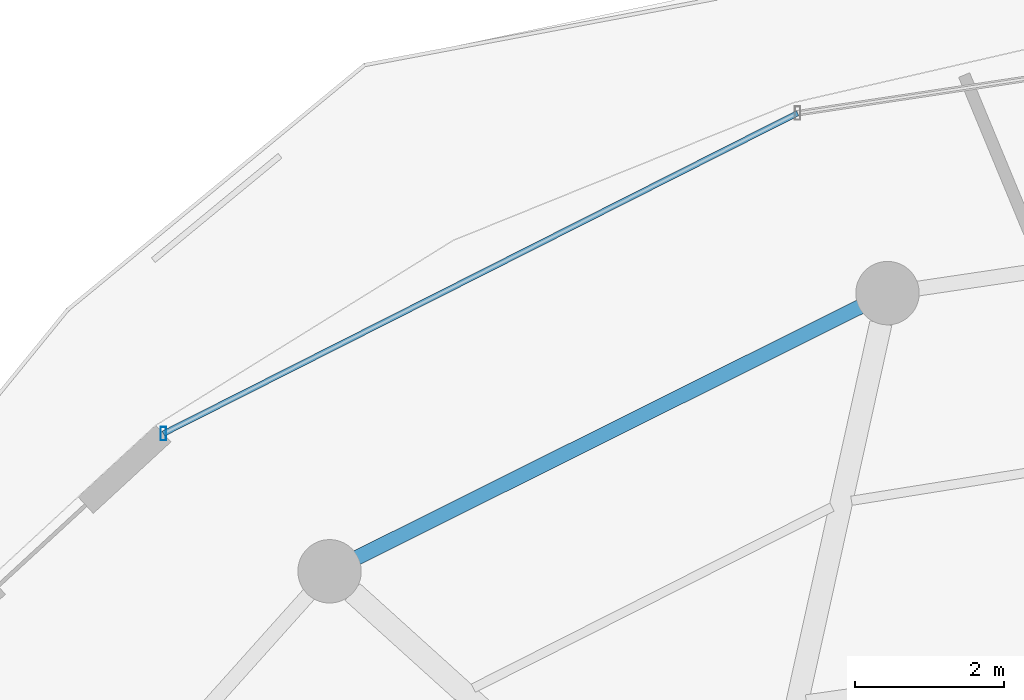
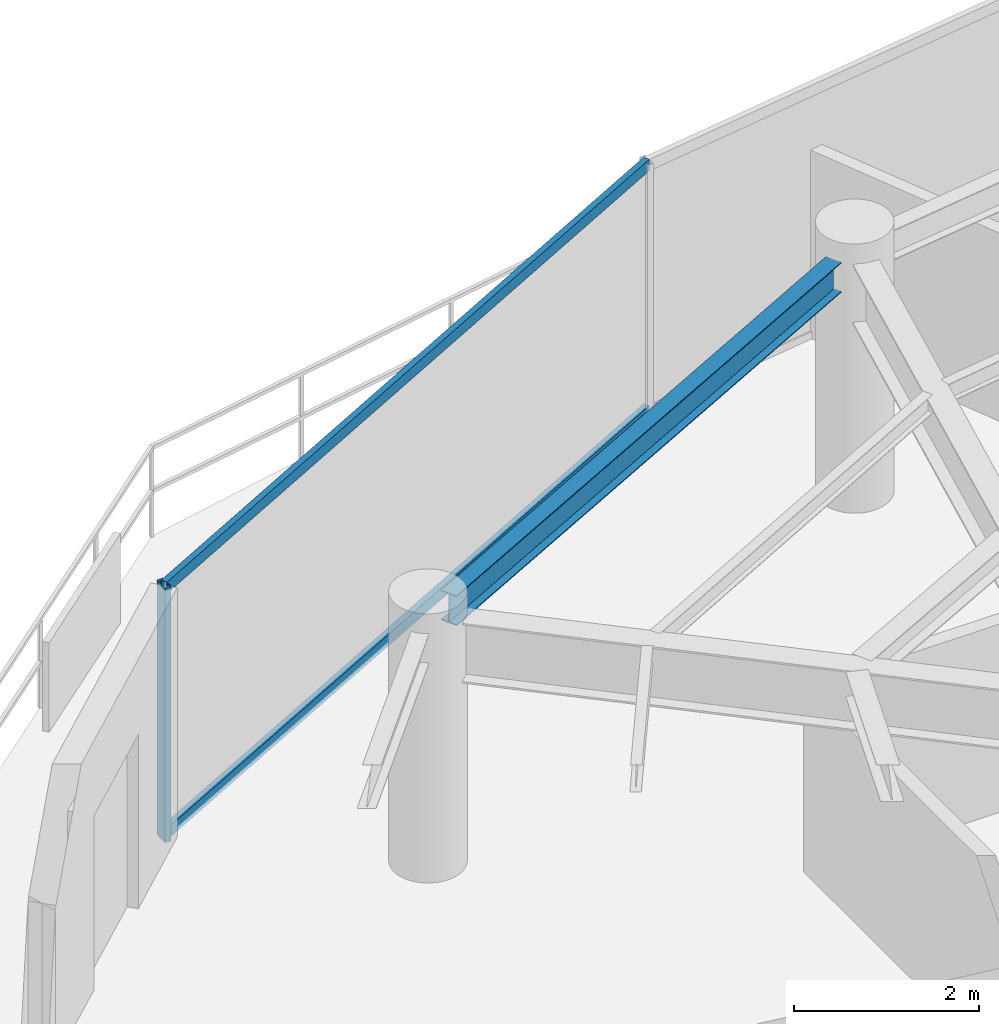
# One storey, part 15 of 30: 3 members, 1 beam, 1 element without a shape of its own.
"""IFC4 building model written with IfcOpenShell, lengths in metres."""

import ifcopenshell
import ifcopenshell.guid

model = None  # the IFC model being written
_history = None  # IfcOwnerHistory: only IFC2X3 demands one
_inside = {}  # id of a spatial element -> (the spatial element, [elements in it])
_under = {}  # id of a project, library or spatial element -> (it, [spatial elements below it])
_declared = {}  # id of a project -> (the project, [libraries it declares])
_typed = {}  # id of a type object -> (the type object, [elements of that type])
_made_of = {}  # id of a material, layer set ... -> (it, [elements and type objects made of it])


def new_model(schema):
    """Start an empty IFC model of exactly this schema.

    Asked for "IFC4X3", IfcOpenShell would pick the latest addendum, in which some entities
    have other attributes; the version numbers below select the first issue.
    IFC2X3 requires an IfcOwnerHistory on every rooted entity: one is made here for all.
    """
    global model, _history
    if schema == "IFC4X3":
        model = ifcopenshell.file(schema_version=(4, 3, 0, 0))
    else:
        model = ifcopenshell.file(schema=schema)
    _inside.clear()
    _under.clear()
    _declared.clear()
    _typed.clear()
    _made_of.clear()
    _history = None
    if model.schema == "IFC2X3":
        org = make("IfcOrganization", Name="unknown")
        user = make(
            "IfcPersonAndOrganization",
            ThePerson=make("IfcPerson", FamilyName="unknown"),
            TheOrganization=org,
        )
        app = make(
            "IfcApplication",
            ApplicationDeveloper=org,
            Version="unknown",
            ApplicationFullName="unknown",
            ApplicationIdentifier="unknown",
        )
        _history = make(
            "IfcOwnerHistory",
            OwningUser=user,
            OwningApplication=app,
            ChangeAction="ADDED",
            CreationDate=0,
        )
    return model


def make(cls, **values):
    """One entity of the class cls with the attributes given. An attribute that is None is left unset."""
    return model.create_entity(
        cls, **{name: value for name, value in values.items() if value is not None}
    )


def rooted(cls, **values):
    """An entity with a GlobalId (a new one), such as an element, a storey or a relation."""
    return make(cls, GlobalId=ifcopenshell.guid.new(), OwnerHistory=_history, **values)


def si_unit(unit_type, name, prefix=None):
    """IfcSIUnit, for example si_unit("LENGTHUNIT", "METRE", prefix="MILLI")."""
    return make("IfcSIUnit", UnitType=unit_type, Prefix=prefix, Name=name)


def assignment(units):
    """IfcUnitAssignment: the units of a project."""
    return None if units is None else make("IfcUnitAssignment", Units=units)


def point(xyz):
    """IfcCartesianPoint."""
    return None if xyz is None else make("IfcCartesianPoint", Coordinates=xyz)


def direction(xyz):
    """IfcDirection."""
    return None if xyz is None else make("IfcDirection", DirectionRatios=xyz)


def frame(location, z_axis=None, x_axis=None):
    """IfcAxis2Placement3D, a coordinate frame: its origin and axes. An axis left out is left unset."""
    return make(
        "IfcAxis2Placement3D",
        Location=point(location),
        Axis=direction(z_axis),
        RefDirection=direction(x_axis),
    )


def frame_2d(location, x_axis=None):
    """IfcAxis2Placement2D, a coordinate frame in the plane: its origin and x axis."""
    return make(
        "IfcAxis2Placement2D", Location=point(location), RefDirection=direction(x_axis)
    )


def origin():
    """The frame at (0, 0, 0) with its axes left unset."""
    return frame((0.0, 0.0, 0.0))


def origin_2d():
    """The frame at (0, 0) in the plane with its x axis left unset."""
    return frame_2d((0.0, 0.0))


def place(relative_to, where):
    """IfcLocalPlacement: puts the frame where relative to a parent placement (None: the world)."""
    return make(
        "IfcLocalPlacement", PlacementRelTo=relative_to, RelativePlacement=where
    )


def context(
    kind, dimensions, precision=None, world=None, true_north=None, identifier=None
):
    """IfcGeometricRepresentationContext, for example the 3D "Model" context."""
    return make(
        "IfcGeometricRepresentationContext",
        ContextIdentifier=identifier,
        ContextType=kind,
        CoordinateSpaceDimension=dimensions,
        Precision=precision,
        WorldCoordinateSystem=world,
        TrueNorth=true_north,
    )


def subcontext(parent, identifier, kind, view, scale=None):
    """IfcGeometricRepresentationSubContext, for example "Body" below "Model"."""
    return make(
        "IfcGeometricRepresentationSubContext",
        ContextIdentifier=identifier,
        ContextType=kind,
        ParentContext=parent,
        TargetScale=scale,
        TargetView=view,
    )


def project(units=None, contexts=None):
    """IfcProject with its units and contexts."""
    return rooted(
        "IfcProject",
        Name="project",
        RepresentationContexts=contexts,
        UnitsInContext=assignment(units),
    )


def spatial(cls, under=None, at=None, **own):
    """A site, building, storey or space (cls), placed at a placement, below another one or the project."""
    s = rooted(cls, ObjectPlacement=at, **own)
    if under is not None:
        _under.setdefault(under.id(), (under, []))[1].append(s)
    return s


def profile(cls, at=None, kind="AREA", **sizes):
    """A parametric profile (cls). Its sizes go by their IFC names, for example OverallWidth=200.0."""
    return make(cls, ProfileType=kind, Position=at, **sizes)


def hollow_rectangle(**sizes):
    """IfcRectangleHollowProfileDef."""
    return profile("IfcRectangleHollowProfileDef", **sizes)


def i_section(**sizes):
    """IfcIShapeProfileDef."""
    return profile("IfcIShapeProfileDef", **sizes)


def extrude(swept, where, along, depth):
    """IfcExtrudedAreaSolid: the profile swept, set in the frame where, extruded along a direction by depth."""
    return make(
        "IfcExtrudedAreaSolid",
        SweptArea=swept,
        Position=where,
        ExtrudedDirection=direction(along),
        Depth=depth,
    )


def shape(context_of_items, identifier, shape_type, items):
    """IfcShapeRepresentation: the items that make up one representation, for example the "Body"."""
    return make(
        "IfcShapeRepresentation",
        ContextOfItems=context_of_items,
        RepresentationIdentifier=identifier,
        RepresentationType=shape_type,
        Items=items,
    )


def material(Name=None, Category=None):
    """IfcMaterial."""
    return make("IfcMaterial", Name=Name, Category=Category)


def material_profile(
    of_material, cross_section, Name=None, Category=None, Priority=None
):
    """IfcMaterialProfile: a cross section and its material."""
    return make(
        "IfcMaterialProfile",
        Name=Name,
        Material=of_material,
        Profile=cross_section,
        Priority=Priority,
        Category=Category,
    )


def profile_set(profiles, Name=None, composite=None):
    """IfcMaterialProfileSet."""
    return make(
        "IfcMaterialProfileSet",
        Name=Name,
        MaterialProfiles=profiles,
        CompositeProfile=composite,
    )


def made_of(thing, what):
    """Note that an element or type object is made of a material, layer set ...; save() writes the relation."""
    if what is not None:
        _made_of.setdefault(what.id(), (what, []))[1].append(thing)
    return thing


def type_object(cls, material=None, **own):
    """A type object (cls), such as IfcWallType, which elements share."""
    return made_of(rooted(cls, **own), material)


def element(
    cls,
    number,
    at=None,
    inside=None,
    cuts=None,
    type_object=None,
    material=None,
    context=None,
    identifier="Body",
    shape_type=None,
    held_by="IfcProductDefinitionShape",
    body=None,
    shapes=None,
    **own,
):
    """One element of the class cls, such as IfcWall. Its Tag is "e" and its number.

    at: its placement. inside: the storey or other place that contains it. cuts: it is an
    opening in that element (IfcRelVoidsElement). A single representation is given by context,
    identifier, shape_type and body (its items); several are given by shapes. held_by: the class
    of the entity that holds the representations. save() writes the other relations.
    """
    e = rooted(cls, Tag="e%d" % number, ObjectPlacement=at, **own)
    if body is not None:
        shapes = [shape(context, identifier, shape_type, body)]
    if shapes is not None:
        e.Representation = make(held_by, Representations=shapes)
    if inside is not None:
        _inside.setdefault(inside.id(), (inside, []))[1].append(e)
    if cuts is not None:
        rooted(
            "IfcRelVoidsElement", RelatingBuildingElement=cuts, RelatedOpeningElement=e
        )
    if type_object is not None:
        _typed.setdefault(type_object.id(), (type_object, []))[1].append(e)
    return made_of(e, material)


def aggregate(whole, parts):
    """IfcRelAggregates: a whole, such as a stair, and the parts it consists of."""
    return rooted("IfcRelAggregates", RelatingObject=whole, RelatedObjects=parts)


def save(model, path):
    """Write the relations noted so far, then the file.

    IfcRelAggregates (storeys below a building ...), IfcRelContainedInSpatialStructure (elements
    in a storey), IfcRelDefinesByType, IfcRelAssociatesMaterial and IfcRelDeclares: one each for
    every whole, place, type object, material and project.
    """
    for whole, parts in _under.values():
        aggregate(whole, parts)
    for where, things in _inside.values():
        rooted(
            "IfcRelContainedInSpatialStructure",
            RelatedElements=things,
            RelatingStructure=where,
        )
    for kind, things in _typed.values():
        rooted("IfcRelDefinesByType", RelatedObjects=things, RelatingType=kind)
    for what, things in _made_of.values():
        rooted("IfcRelAssociatesMaterial", RelatedObjects=things, RelatingMaterial=what)
    for by, libraries in _declared.values():
        rooted("IfcRelDeclares", RelatingContext=by, RelatedDefinitions=libraries)
    model.write(path)


model = new_model("IFC4")

# Units and contexts
model_context = context("Model", 3, precision=1e-05, world=origin(), true_north=direction((0.0, 1.0)))
body_context = subcontext(model_context, "Body", "Model", "MODEL_VIEW")
ifc_project = project(units=[si_unit("LENGTHUNIT", "METRE"), si_unit("AREAUNIT", "SQUARE_METRE"), si_unit("VOLUMEUNIT", "CUBIC_METRE"), si_unit("PLANEANGLEUNIT", "RADIAN"), si_unit("MASSUNIT", "GRAM", prefix="KILO")], contexts=[model_context])

# Site, building, storey
site_placement = place(None, origin())
site = spatial("IfcSite", under=ifc_project, at=site_placement, CompositionType="ELEMENT")
building_placement = place(site_placement, origin())
building = spatial("IfcBuilding", under=site, at=building_placement, Name="Vorneva Point Tower", CompositionType="ELEMENT")
storey_placement = place(building_placement, frame((0.0, 0.0, 262.64990234375)))
storey = spatial("IfcBuildingStorey", under=building, at=storey_placement, Name="L71", CompositionType="ELEMENT", Elevation=262.64990234375)

# Beam
ifc_material_1 = material(Name="Steel S355", Category="steel")
ifc_material_profile_1 = material_profile(ifc_material_1, i_section(OverallWidth=0.198974609375, OverallDepth=0.39599609375, WebThickness=0.007080078125, FlangeThickness=0.010986328125, at=origin_2d()), Name="40B1")
ifc_profile_set_1 = profile_set([ifc_material_profile_1], Name="Steel S355")
beam_type = type_object("IfcBeamType", Name="BM-SPN-40B1", PredefinedType="SPANDREL", material=ifc_profile_set_1)
beam_placement = place(storey_placement, frame((28.812255859375, 41.707763671875, 3.092041015625), z_axis=(-0.894932011528, -0.446202526599, 0.0), x_axis=(0.446202526599, -0.894932011528, 0.0)))
element("IfcBeam", 1, at=beam_placement, inside=storey, type_object=beam_type, Name="L71 Perimeter Spandrel Ring Beam 06", PredefinedType="SPANDREL", context=body_context, shape_type="SweptSolid", body=[
    extrude(i_section(OverallWidth=0.198974609375, OverallDepth=0.39599609375, WebThickness=0.007080078125, FlangeThickness=0.010986328125, at=origin_2d()), origin(), (0.0, 0.0, 1.0), 7.535888671875),
])

# Curtain wall, members
ifc_material_2 = material(Name="Pale anodised aluminium", Category="aluminium")
curtain_wall_type = type_object("IfcCurtainWallType", Name="CW-RES-SYS", PredefinedType="NOTDEFINED", material=ifc_material_2)
curtain_wall_placement = place(storey_placement, origin())
curtain_wall = element("IfcCurtainWall", 2, at=curtain_wall_placement, inside=storey, type_object=curtain_wall_type, Name="L71 Unitised Curtain Wall CW-L71-R02", PredefinedType="NOTDEFINED")
ifc_material_profile_2 = material_profile(ifc_material_2, hollow_rectangle(XDim=0.074951171875, YDim=0.179931640625, WallThickness=0.00390625, at=origin_2d()), Name="AL-MUL 180x75x4")
ifc_profile_set_2 = profile_set([ifc_material_profile_2], Name="Pale anodised aluminium")
member_type_1 = type_object("IfcMemberType", Name="CW-MUL-180", PredefinedType="MULLION", material=ifc_profile_set_2)
member_1_placement = place(storey_placement, frame((19.473876953125, 40.0078125, -0.039794921875), z_axis=(0.0, 0.0, 1.0), x_axis=(1.0, 0.0, 0.0)))
member_1 = element("IfcMember", 3, at=member_1_placement, type_object=member_type_1, Name="CW-L71-R02 Mullion 05", PredefinedType="MULLION", context=body_context, shape_type="SweptSolid", body=[
    extrude(hollow_rectangle(XDim=0.074951171875, YDim=0.179931640625, WallThickness=0.00390625, at=origin_2d()), origin(), (0.0, 0.0, 1.0), 3.35986328125),
])
ifc_material_profile_3 = material_profile(ifc_material_2, hollow_rectangle(XDim=0.074951171875, YDim=0.14990234375, WallThickness=0.00390625, at=origin_2d()), Name="AL-TRN 150x75x4")
ifc_profile_set_3 = profile_set([ifc_material_profile_3], Name="Pale anodised aluminium")
member_type_2 = type_object("IfcMemberType", Name="CW-TRN-150", PredefinedType="USERDEFINED", material=ifc_profile_set_3)
member_2_placement = place(storey_placement, frame((27.9736328125, 44.302001953125, 0.02001953125), z_axis=(-0.892558185815, -0.450932239848, 0.0), x_axis=(0.450932239848, -0.892558185815, 0.0)))
member_2 = element("IfcMember", 4, at=member_2_placement, type_object=member_type_2, Name="CW-L71-R02 Transom 04.1", ObjectType="TRANSOM", PredefinedType="USERDEFINED", context=body_context, shape_type="SweptSolid", body=[
    extrude(hollow_rectangle(XDim=0.074951171875, YDim=0.14990234375, WallThickness=0.00390625, at=origin_2d()), origin(), (0.0, 0.0, 1.0), 9.52294921875),
])
member_3_placement = place(storey_placement, frame((27.9736328125, 44.302001953125, 3.27001953125), z_axis=(-0.892558185815, -0.450932239848, 0.0), x_axis=(0.450932239848, -0.892558185815, 0.0)))
member_3 = element("IfcMember", 5, at=member_3_placement, type_object=member_type_2, Name="CW-L71-R02 Transom 04.2", ObjectType="TRANSOM", PredefinedType="USERDEFINED", context=body_context, shape_type="SweptSolid", body=[
    extrude(hollow_rectangle(XDim=0.074951171875, YDim=0.14990234375, WallThickness=0.00390625, at=origin_2d()), origin(), (0.0, 0.0, 1.0), 9.52294921875),
])
aggregate(curtain_wall, [member_1, member_2, member_3])

save(model, "model.ifc")
